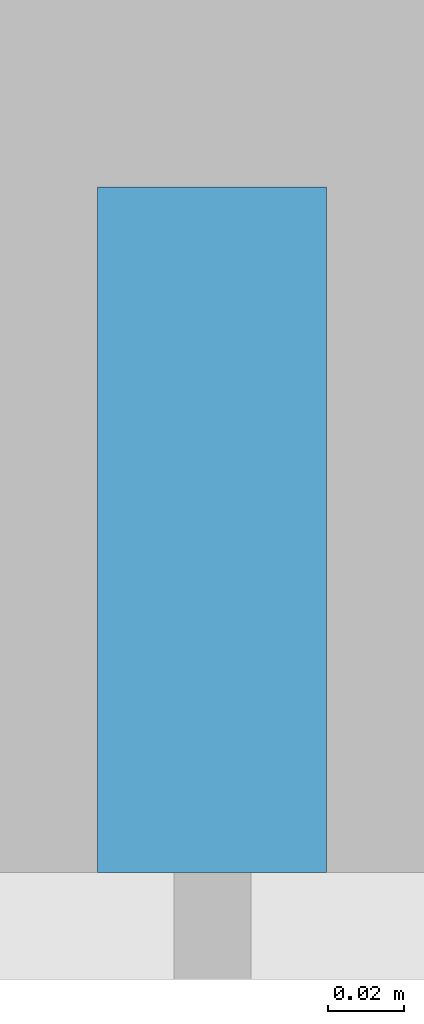
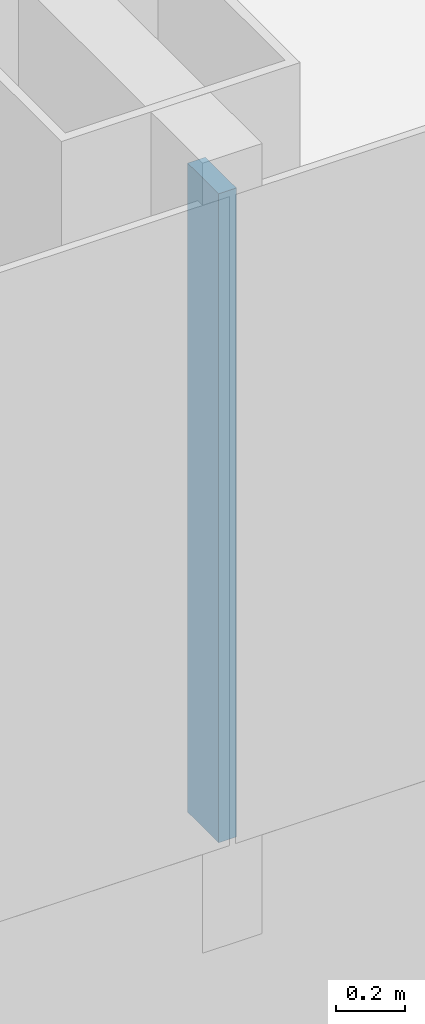
# One storey, part 6 of 29: 1 member, 1 element without a shape of its own.
"""IFC4 building model written with IfcOpenShell, lengths in metres."""

from ifc_helpers import new_model, si_unit, direction, frame, origin, origin_2d, place, context, subcontext, project, spatial, rectangle, extrude, material, layer, layer_set, material_profile, profile_set, type_object, element, aggregate, save


model = new_model("IFC4")

# Units and contexts
model_context = context("Model", 3, precision=1e-05, world=origin(), true_north=direction((0.0, 1.0)))
body_context = subcontext(model_context, "Body", "Model", "MODEL_VIEW")
ifc_project = project(units=[si_unit("LENGTHUNIT", "METRE"), si_unit("AREAUNIT", "SQUARE_METRE"), si_unit("VOLUMEUNIT", "CUBIC_METRE"), si_unit("PLANEANGLEUNIT", "RADIAN"), si_unit("MASSUNIT", "GRAM", prefix="KILO")], contexts=[model_context])

# Site, building, storey
site_placement = place(None, origin())
site = spatial("IfcSite", under=ifc_project, at=site_placement, CompositionType="ELEMENT")
building_placement = place(site_placement, origin())
building = spatial("IfcBuilding", under=site, at=building_placement, Name="Hakoniwa Tower and Hamabe Station Hall", CompositionType="ELEMENT")
storey_placement = place(building_placement, frame((0.0, 0.0, 113.800048828125)))
storey = spatial("IfcBuildingStorey", under=building, at=storey_placement, Name="L32", CompositionType="ELEMENT", Elevation=113.800048828125)

# Curtain wall, member
ifc_material_1 = material(Name="Dark low-e laminated glass", Category="glass")
ifc_layer = layer(ifc_material_1, 0.199951171875)
ifc_layer_set = layer_set([ifc_layer], Name="CW-1 UNITISED GUEST")
curtain_wall_type = type_object("IfcCurtainWallType", Name="CW-1 UNITISED GUEST", PredefinedType="NOTDEFINED", material=ifc_layer_set)
curtain_wall_placement = place(storey_placement, origin())
curtain_wall = element("IfcCurtainWall", 1, at=curtain_wall_placement, inside=storey, type_object=curtain_wall_type, Name="CW-1 curtain wall", PredefinedType="NOTDEFINED")
ifc_material_2 = material(Name="Aluminium 6063-T5 black anodised", Category="aluminium")
ifc_material_profile = material_profile(ifc_material_2, rectangle(XDim=0.06005859375, YDim=0.179931640625, at=origin_2d()), Name="CW-1 MULLION 60X180")
ifc_profile_set = profile_set([ifc_material_profile], Name="Aluminium 6063-T5 black anodised")
member_type = type_object("IfcMemberType", Name="CW-1 MULLION 60X180", PredefinedType="MULLION", material=ifc_profile_set)
member_placement = place(storey_placement, frame((8.39990234375, -15.431884765625, 0.349853515625), z_axis=(0.0, 0.0, 1.0), x_axis=(1.0, 0.0, 0.0)))
member = element("IfcMember", 2, at=member_placement, type_object=member_type, Name="CW-1 mullion", PredefinedType="MULLION", context=body_context, shape_type="SweptSolid", body=[
    extrude(rectangle(XDim=0.06005859375, YDim=0.179931640625, at=origin_2d()), origin(), (0.0, 0.0, 1.0), 2.300048828125),
])
aggregate(curtain_wall, [member])

save(model, "model.ifc")
